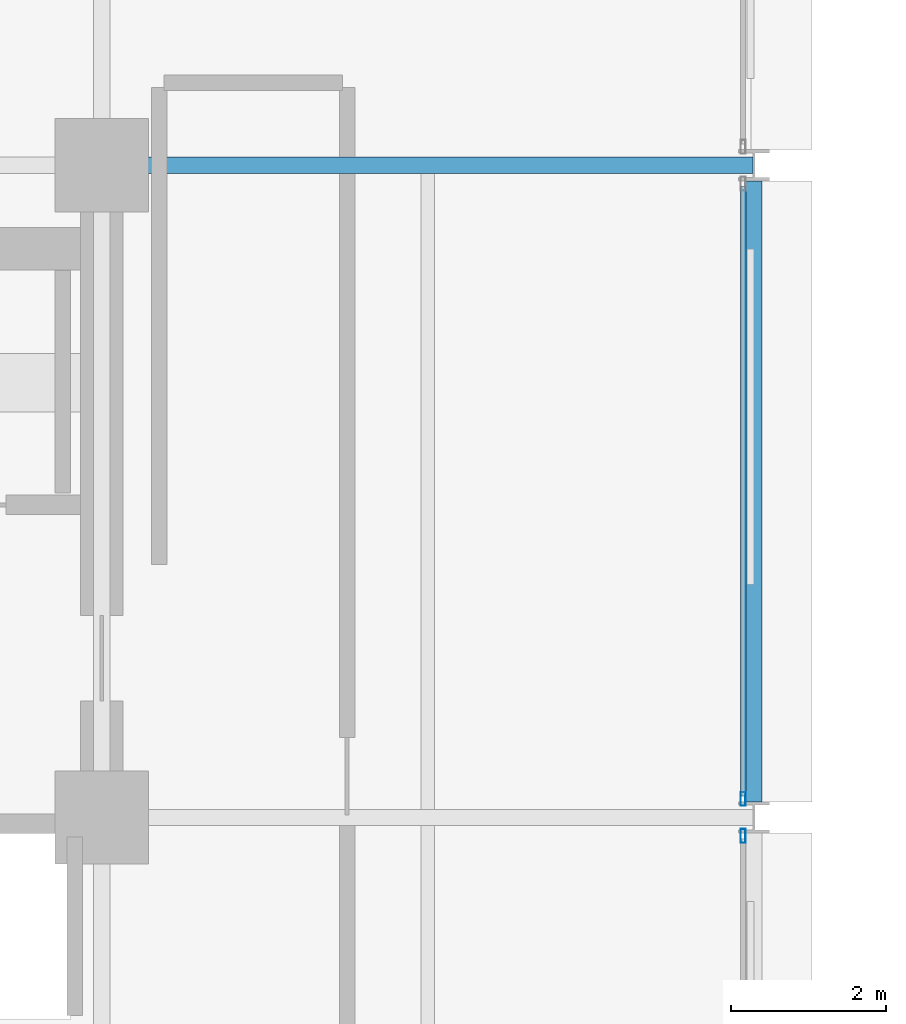
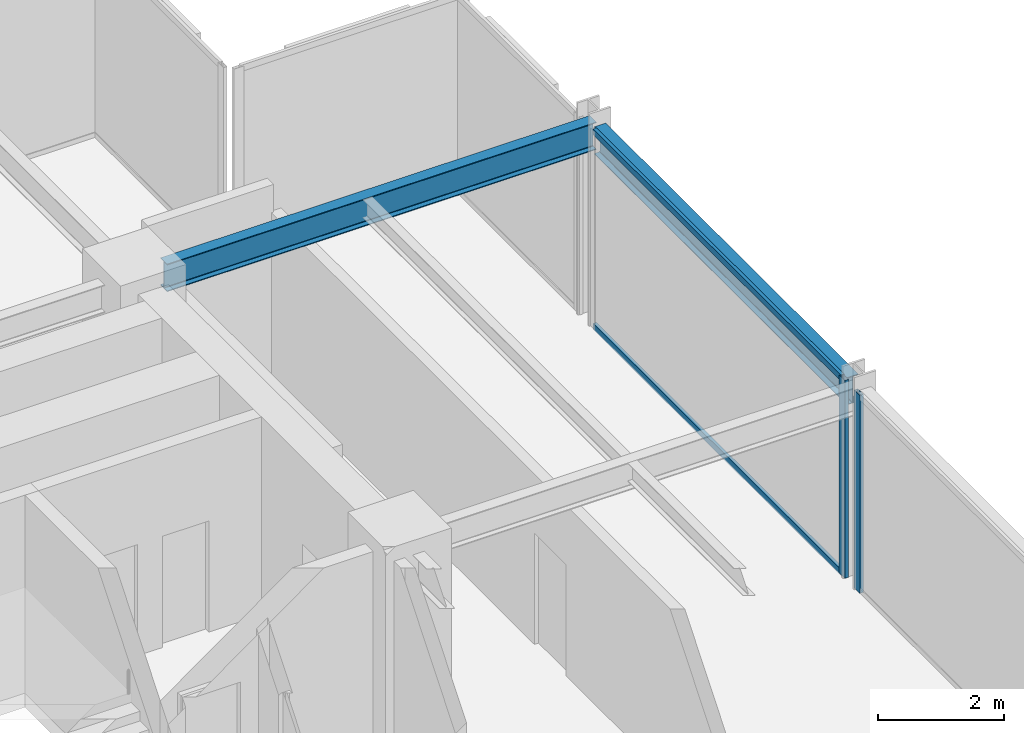
# One storey, part 27 of 39: 4 members, 2 beams, 2 elements without a shape of their own.
"""IFC4 building model written with IfcOpenShell, lengths in metres."""

from ifc_helpers import new_model, si_unit, direction, frame, origin, origin_2d, place, context, subcontext, project, spatial, hollow_rectangle, i_section, extrude, material, layer, layer_set, material_profile, profile_set, type_object, element, aggregate, save


model = new_model("IFC4")

# Units and contexts
model_context = context("Model", 3, precision=1e-05, world=origin(), true_north=direction((0.0, 1.0)))
body_context = subcontext(model_context, "Body", "Model", "MODEL_VIEW")
ifc_project = project(units=[si_unit("LENGTHUNIT", "METRE"), si_unit("AREAUNIT", "SQUARE_METRE"), si_unit("VOLUMEUNIT", "CUBIC_METRE"), si_unit("PLANEANGLEUNIT", "RADIAN"), si_unit("MASSUNIT", "GRAM", prefix="KILO")], contexts=[model_context])

# Site, building, storey
site_placement = place(None, origin())
site = spatial("IfcSite", under=ifc_project, at=site_placement, CompositionType="ELEMENT")
building_placement = place(site_placement, origin())
building = spatial("IfcBuilding", under=site, at=building_placement, Name="Nerrivon Quay Data Exchange", CompositionType="ELEMENT")
storey_placement = place(building_placement, frame((0.0, 0.0, 104.89990234375)))
storey = spatial("IfcBuildingStorey", under=building, at=storey_placement, Name="L24", CompositionType="ELEMENT", Elevation=104.89990234375)

# Beams
ifc_material_1 = material(Name="Steel Grade 350", Category="steel")
ifc_material_profile_1 = material_profile(ifc_material_1, i_section(OverallWidth=0.208984375, OverallDepth=0.532958984375, WebThickness=0.01025390625, FlangeThickness=0.015625, FilletRadius=0.013916015625, at=origin_2d()), Name="530UB92.4")
ifc_profile_set_1 = profile_set([ifc_material_profile_1], Name="Steel Grade 350")
beam_type_1 = type_object("IfcBeamType", Name="BM-G3-530UB92", PredefinedType="BEAM", material=ifc_profile_set_1)
beam_1_placement = place(storey_placement, frame((17.340087890625, 42.0, 3.55859375), z_axis=(1.0, 0.0, 0.0), x_axis=(0.0, 1.0, 0.0)))
element("IfcBeam", 1, at=beam_1_placement, inside=storey, type_object=beam_type_1, Name="L24 EW Girder Y=42.0 (16.8..25.2)", PredefinedType="BEAM", context=body_context, shape_type="SweptSolid", body=[
    extrude(i_section(OverallWidth=0.208984375, OverallDepth=0.532958984375, WebThickness=0.01025390625, FlangeThickness=0.015625, FilletRadius=0.013916015625, at=origin_2d()), origin(), (0.0, 0.0, 1.0), 7.847412109375),
])
ifc_material_profile_2 = material_profile(ifc_material_1, i_section(OverallWidth=0.208984375, OverallDepth=0.528076171875, WebThickness=0.009521484375, FlangeThickness=0.01318359375, FilletRadius=0.013916015625, at=origin_2d()), Name="530UB82.0")
ifc_profile_set_2 = profile_set([ifc_material_profile_2], Name="Steel Grade 350")
beam_type_2 = type_object("IfcBeamType", Name="BM-G4-530UB82", PredefinedType="BEAM", material=ifc_profile_set_2)
beam_2_placement = place(storey_placement, frame((25.199951171875, 33.800048828125, 3.56103515625), z_axis=(0.0, 1.0, 0.0), x_axis=(-1.0, 0.0, 0.0)))
element("IfcBeam", 2, at=beam_2_placement, inside=storey, type_object=beam_type_2, Name="L24 NS Girder X=25.2 (33.6..42.0)", PredefinedType="BEAM", context=body_context, shape_type="SweptSolid", body=[
    extrude(i_section(OverallWidth=0.208984375, OverallDepth=0.528076171875, WebThickness=0.009521484375, FlangeThickness=0.01318359375, FilletRadius=0.013916015625, at=origin_2d()), origin(), (0.0, 0.0, 1.0), 8.0),
])

# Curtain wall, member
ifc_material_2 = material(Name="Anodised aluminium 6063-T6", Category="aluminium")
ifc_layer = layer(ifc_material_2, 0.2099609375)
ifc_layer_set = layer_set([ifc_layer], Name="Anodised aluminium 6063-T6")
curtain_wall_type = type_object("IfcCurtainWallType", Name="CW-SYS-02", PredefinedType="NOTDEFINED", material=ifc_layer_set)
curtain_wall_1_placement = place(storey_placement, origin())
curtain_wall_1 = element("IfcCurtainWall", 3, at=curtain_wall_1_placement, inside=storey, type_object=curtain_wall_type, Name="L24 Unitised Curtain Wall 30", PredefinedType="NOTDEFINED")
ifc_material_profile_3 = material_profile(ifc_material_2, hollow_rectangle(XDim=0.06494140625, YDim=0.179931640625, WallThickness=0.00341796875, at=origin_2d()), Name="ALU-MULL-180x65")
ifc_profile_set_3 = profile_set([ifc_material_profile_3], Name="Anodised aluminium 6063-T6")
member_type_1 = type_object("IfcMemberType", Name="CWM-180x65", PredefinedType="MULLION", material=ifc_profile_set_3)
member_1_placement = place(storey_placement, frame((25.06005859375, 33.83740234375, 0.0), z_axis=(0.0, 0.0, 1.0), x_axis=(1.0, 0.0, 0.0)))
member_1 = element("IfcMember", 4, at=member_1_placement, type_object=member_type_1, Name="CW02 mullion 2", PredefinedType="MULLION", context=body_context, shape_type="SweptSolid", body=[
    extrude(hollow_rectangle(XDim=0.06494140625, YDim=0.179931640625, WallThickness=0.00341796875, at=origin_2d()), origin(), (0.0, 0.0, 1.0), 3.8251953125),
])

curtain_wall_2_placement = place(storey_placement, origin())
curtain_wall_2 = element("IfcCurtainWall", 5, at=curtain_wall_2_placement, inside=storey, type_object=curtain_wall_type, Name="L24 Unitised Curtain Wall 31", PredefinedType="NOTDEFINED")
member_2_placement = place(storey_placement, frame((25.06005859375, 33.362548828125, 0.0), z_axis=(0.0, 0.0, 1.0), x_axis=(1.0, 0.0, 0.0)))
member_2 = element("IfcMember", 6, at=member_2_placement, type_object=member_type_1, Name="CW02 mullion 1", PredefinedType="MULLION", context=body_context, shape_type="SweptSolid", body=[
    extrude(hollow_rectangle(XDim=0.06494140625, YDim=0.179931640625, WallThickness=0.00341796875, at=origin_2d()), origin(), (0.0, 0.0, 1.0), 3.8251953125),
])
aggregate(curtain_wall_2, [member_2])

# Member
ifc_material_profile_4 = material_profile(ifc_material_2, hollow_rectangle(XDim=0.06005859375, YDim=0.1201171875, WallThickness=0.003173828125, at=origin_2d()), Name="ALU-TRAN-120x60")
ifc_profile_set_4 = profile_set([ifc_material_profile_4], Name="Anodised aluminium 6063-T6")
member_type_2 = type_object("IfcMemberType", Name="CWT-120x60", PredefinedType="USERDEFINED", material=ifc_profile_set_4)
member_3_placement = place(storey_placement, frame((25.06005859375, 41.72509765625, 0.03271484375), z_axis=(0.0, -1.0, 0.0), x_axis=(1.0, 0.0, 0.0)))
member_3 = element("IfcMember", 7, at=member_3_placement, type_object=member_type_2, Name="CW02 transom 1.1", ObjectType="TRANSOM", PredefinedType="USERDEFINED", context=body_context, shape_type="SweptSolid", body=[
    extrude(hollow_rectangle(XDim=0.06005859375, YDim=0.1201171875, WallThickness=0.003173828125, at=origin_2d()), origin(), (0.0, 0.0, 1.0), 7.85009765625),
])

member_4_placement = place(storey_placement, frame((25.06005859375, 41.72509765625, 3.79248046875), z_axis=(0.0, -1.0, 0.0), x_axis=(1.0, 0.0, 0.0)))
member_4 = element("IfcMember", 8, at=member_4_placement, type_object=member_type_2, Name="CW02 transom 1.2", ObjectType="TRANSOM", PredefinedType="USERDEFINED", context=body_context, shape_type="SweptSolid", body=[
    extrude(hollow_rectangle(XDim=0.06005859375, YDim=0.1201171875, WallThickness=0.003173828125, at=origin_2d()), origin(), (0.0, 0.0, 1.0), 7.85009765625),
])

aggregate(curtain_wall_1, [member_1, member_3, member_4])

save(model, "model.ifc")
